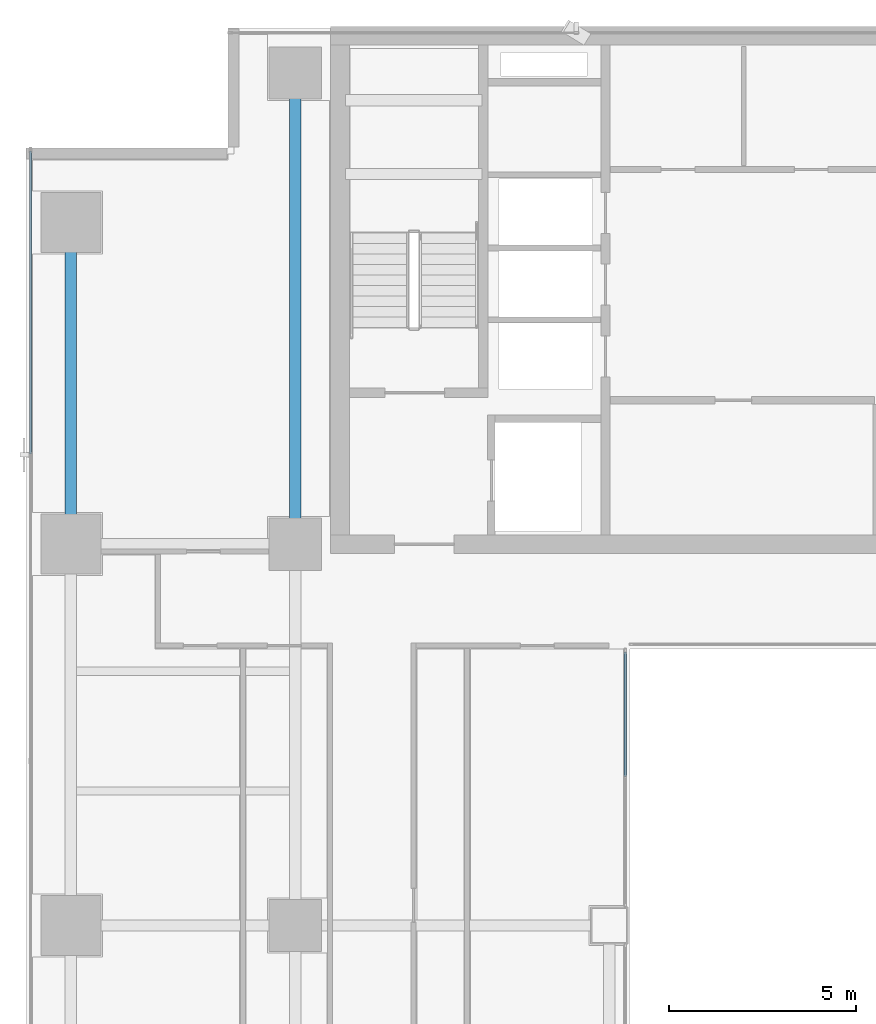
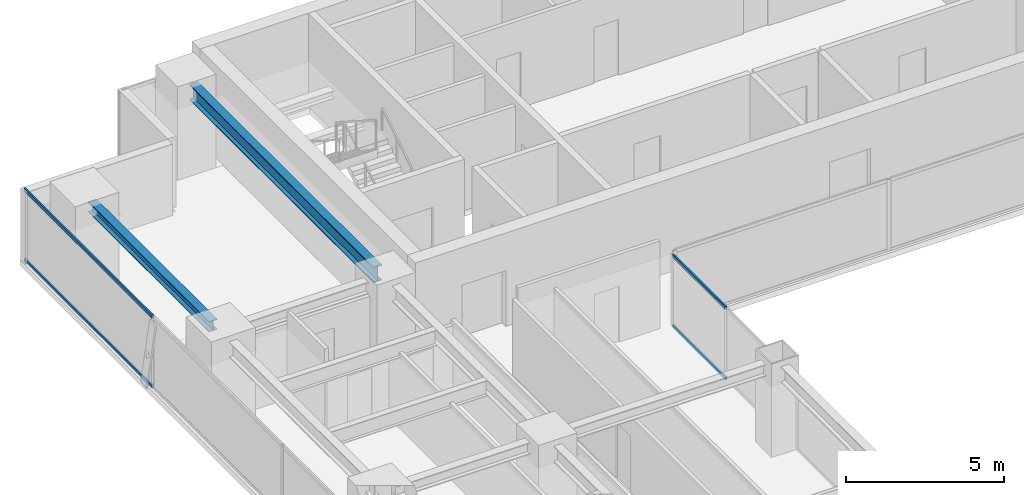
# One storey, part 9 of 30: 4 members, 2 beams, 2 elements without a shape of their own.
"""IFC4 building model written with IfcOpenShell, lengths in metres."""

from ifc_helpers import new_model, si_unit, direction, frame, origin, origin_2d, place, context, subcontext, project, spatial, hollow_rectangle, i_section, extrude, source, transform, mapped, material, layer, layer_set, material_profile, profile_set, type_object, element, aggregate, save


model = new_model("IFC4")

# Units and contexts
model_context = context("Model", 3, precision=1e-05, world=origin(), true_north=direction((0.0, 1.0)))
body_context = subcontext(model_context, "Body", "Model", "MODEL_VIEW")
ifc_project = project(units=[si_unit("LENGTHUNIT", "METRE"), si_unit("AREAUNIT", "SQUARE_METRE"), si_unit("VOLUMEUNIT", "CUBIC_METRE"), si_unit("PLANEANGLEUNIT", "RADIAN"), si_unit("MASSUNIT", "GRAM", prefix="KILO")], contexts=[model_context])

# Site, building, storey
site_placement = place(None, origin())
site = spatial("IfcSite", under=ifc_project, at=site_placement, CompositionType="ELEMENT")
building_placement = place(site_placement, origin())
building = spatial("IfcBuilding", under=site, at=building_placement, Name="Sumidabori Civic Tower", CompositionType="ELEMENT")
storey_placement = place(building_placement, frame((0.0, 0.0, 200.0)))
storey = spatial("IfcBuildingStorey", under=building, at=storey_placement, Name="L51", CompositionType="ELEMENT", Elevation=200.0)

# Beams
ifc_material_1 = material(Name="Steel SN490", Category="steel")
ifc_material_profile_1 = material_profile(ifc_material_1, i_section(OverallWidth=0.300048828125, OverallDepth=0.39990234375, WebThickness=0.013427734375, FlangeThickness=0.02392578125, at=origin_2d()), Name="HE 400 B")
ifc_profile_set_1 = profile_set([ifc_material_profile_1], Name="Steel SN490")
beam_type_1 = type_object("IfcBeamType", Name="BM-GIRD-400", PredefinedType="BEAM", material=ifc_profile_set_1)
shared_shape_1 = source(origin(), body_context, "Body", "SweptSolid", [
    extrude(i_section(OverallWidth=0.300048828125, OverallDepth=0.39990234375, WebThickness=0.013427734375, FlangeThickness=0.02392578125, at=origin_2d()), origin(), (0.0, 0.0, 1.0), 7.64013671875),
])
beam_1_placement = place(storey_placement, frame((-22.800048828125, 10.679931640625, 3.179931640625), z_axis=(0.0, 1.0, 0.0), x_axis=(-1.0, 0.0, 0.0)))
element("IfcBeam", 1, at=beam_1_placement, inside=storey, type_object=beam_type_1, Name="Primary Girder L51 GY-13", PredefinedType="BEAM", context=body_context, shape_type="MappedRepresentation", body=[
    mapped(shared_shape_1, transform((0.0, 0.0, 0.0), x_axis=(1.0, 0.0, 0.0), y_axis=(0.0, 1.0, 0.0), z_axis=(0.0, 0.0, 1.0), scale=1.0)),
])
ifc_material_profile_2 = material_profile(ifc_material_1, i_section(OverallWidth=0.300048828125, OverallDepth=0.60009765625, WebThickness=0.015380859375, FlangeThickness=0.030029296875, at=origin_2d()), Name="HE 600 B")
ifc_profile_set_2 = profile_set([ifc_material_profile_2], Name="Steel SN490")
beam_type_2 = type_object("IfcBeamType", Name="BM-GIRD-600", PredefinedType="BEAM", material=ifc_profile_set_2)
shared_shape_2 = source(origin(), body_context, "Body", "SweptSolid", [
    extrude(i_section(OverallWidth=0.300048828125, OverallDepth=0.60009765625, WebThickness=0.015380859375, FlangeThickness=0.030029296875, at=origin_2d()), origin(), (0.0, 0.0, 1.0), 11.64013671875),
])
beam_2_placement = place(storey_placement, frame((-16.800048828125, 10.679931640625, 3.080078125), z_axis=(0.0, 1.0, 0.0), x_axis=(-1.0, 0.0, 0.0)))
element("IfcBeam", 2, at=beam_2_placement, inside=storey, type_object=beam_type_2, Name="Primary Girder L51 GY-16", PredefinedType="BEAM", context=body_context, shape_type="MappedRepresentation", body=[
    mapped(shared_shape_2, transform((0.0, 0.0, 0.0), x_axis=(1.0, 0.0, 0.0), y_axis=(0.0, 1.0, 0.0), z_axis=(0.0, 0.0, 1.0), scale=1.0)),
])

# Curtain wall, members
ifc_material_2 = material(Name="Anodised Bronze Aluminium AW-6063-T6", Category="aluminium")
ifc_layer_1 = layer(ifc_material_2, 0.179931640625, Name="Anodised Bronze Aluminium AW-6063-T6")
ifc_layer_set_1 = layer_set([ifc_layer_1], Name="Anodised Bronze Aluminium AW-6063-T6")
curtain_wall_type_1 = type_object("IfcCurtainWallType", Name="CW-SYS-4", PredefinedType="NOTDEFINED", material=ifc_layer_set_1)
curtain_wall_1_placement = place(storey_placement, origin())
curtain_wall_1 = element("IfcCurtainWall", 3, at=curtain_wall_1_placement, inside=storey, type_object=curtain_wall_type_1, Name="Curtain Wall CW:L51:R04", PredefinedType="NOTDEFINED")
ifc_material_profile_3 = material_profile(ifc_material_2, hollow_rectangle(XDim=0.06005859375, YDim=0.1298828125, WallThickness=0.0048828125, at=origin_2d()), Name="ALU TRANSOM 130x60")
ifc_profile_set_3 = profile_set([ifc_material_profile_3], Name="Anodised Bronze Aluminium AW-6063-T6")
member_type = type_object("IfcMemberType", Name="CW-TRN-130", PredefinedType="USERDEFINED", material=ifc_profile_set_3)
shared_shape_3 = source(origin(), body_context, "Body", "SweptSolid", [
    extrude(hollow_rectangle(XDim=0.06005859375, YDim=0.1298828125, WallThickness=0.0048828125, at=origin_2d()), origin(), (0.0, 0.0, 1.0), 3.330078125),
])
member_1_placement = place(storey_placement, frame((-7.969970703125, 3.97998046875, 0.030029296875), z_axis=(0.0, 1.0, 0.0), x_axis=(-1.0, 0.0, 0.0)))
member_1 = element("IfcMember", 4, at=member_1_placement, type_object=member_type, Name="CW-4 transom 2.1", ObjectType="TRANSOM", PredefinedType="USERDEFINED", context=body_context, shape_type="MappedRepresentation", body=[
    mapped(shared_shape_3, transform((0.0, 0.0, 0.0), x_axis=(1.0, 0.0, 0.0), y_axis=(0.0, 1.0, 0.0), z_axis=(0.0, 0.0, 1.0), scale=1.0)),
])
member_2_placement = place(storey_placement, frame((-7.969970703125, 3.97998046875, 2.72998046875), z_axis=(0.0, 1.0, 0.0), x_axis=(-1.0, 0.0, 0.0)))
member_2 = element("IfcMember", 5, at=member_2_placement, type_object=member_type, Name="CW-4 transom 2.2", ObjectType="TRANSOM", PredefinedType="USERDEFINED", context=body_context, shape_type="MappedRepresentation", body=[
    mapped(shared_shape_3, transform((0.0, 0.0, 0.0), x_axis=(1.0, 0.0, 0.0), y_axis=(0.0, 1.0, 0.0), z_axis=(0.0, 0.0, 1.0), scale=1.0)),
])
aggregate(curtain_wall_1, [member_1, member_2])

ifc_layer_2 = layer(ifc_material_2, 0.179931640625, Name="Anodised Bronze Aluminium AW-6063-T6")
ifc_layer_set_2 = layer_set([ifc_layer_2], Name="Anodised Bronze Aluminium AW-6063-T6")
curtain_wall_type_2 = type_object("IfcCurtainWallType", Name="CW-SYS-5", PredefinedType="NOTDEFINED", material=ifc_layer_set_2)
curtain_wall_2_placement = place(storey_placement, origin())
curtain_wall_2 = element("IfcCurtainWall", 6, at=curtain_wall_2_placement, inside=storey, type_object=curtain_wall_type_2, Name="Curtain Wall CW:L51:R16", PredefinedType="NOTDEFINED")
shared_shape_4 = source(origin(), body_context, "Body", "SweptSolid", [
    extrude(hollow_rectangle(XDim=0.06005859375, YDim=0.1298828125, WallThickness=0.0048828125, at=origin_2d()), origin(), (0.0, 0.0, 1.0), 8.094970703125),
])
member_3_placement = place(storey_placement, frame((-23.8798828125, 20.7099609375, 0.030029296875), z_axis=(0.0, -1.0, 0.0), x_axis=(1.0, 0.0, 0.0)))
member_3 = element("IfcMember", 7, at=member_3_placement, type_object=member_type, Name="CW-5 transom 1.1", ObjectType="TRANSOM", PredefinedType="USERDEFINED", context=body_context, shape_type="MappedRepresentation", body=[
    mapped(shared_shape_4, transform((0.0, 0.0, 0.0), x_axis=(1.0, 0.0, 0.0), y_axis=(0.0, 1.0, 0.0), z_axis=(0.0, 0.0, 1.0), scale=1.0)),
])
member_4_placement = place(storey_placement, frame((-23.8798828125, 20.7099609375, 2.72998046875), z_axis=(0.0, -1.0, 0.0), x_axis=(1.0, 0.0, 0.0)))
member_4 = element("IfcMember", 8, at=member_4_placement, type_object=member_type, Name="CW-5 transom 1.2", ObjectType="TRANSOM", PredefinedType="USERDEFINED", context=body_context, shape_type="MappedRepresentation", body=[
    mapped(shared_shape_4, transform((0.0, 0.0, 0.0), x_axis=(1.0, 0.0, 0.0), y_axis=(0.0, 1.0, 0.0), z_axis=(0.0, 0.0, 1.0), scale=1.0)),
])
aggregate(curtain_wall_2, [member_3, member_4])

save(model, "model.ifc")
